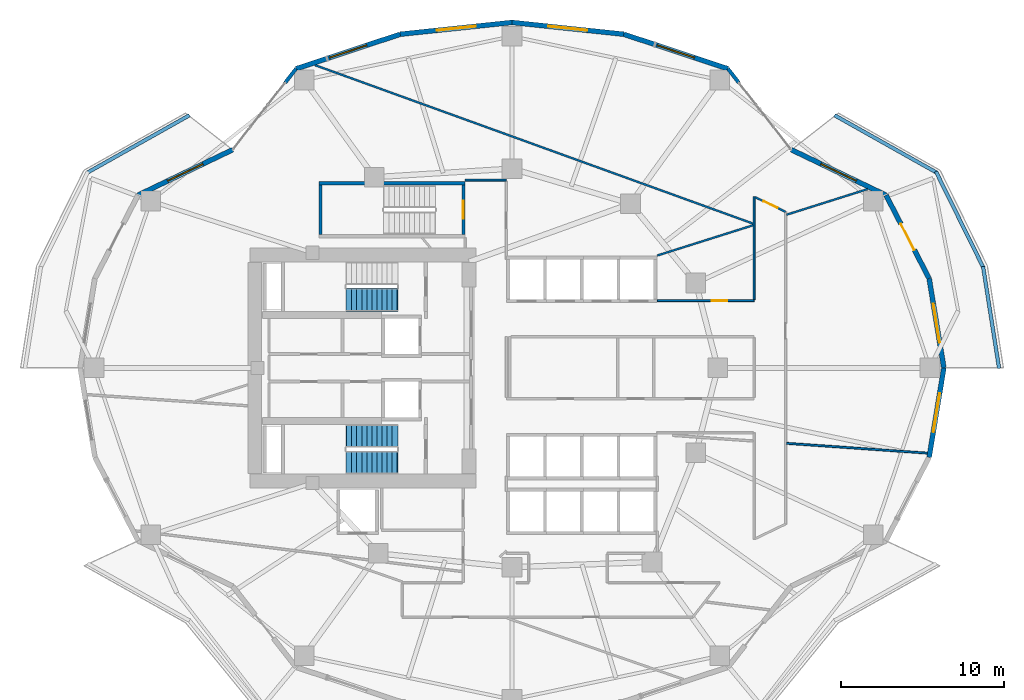
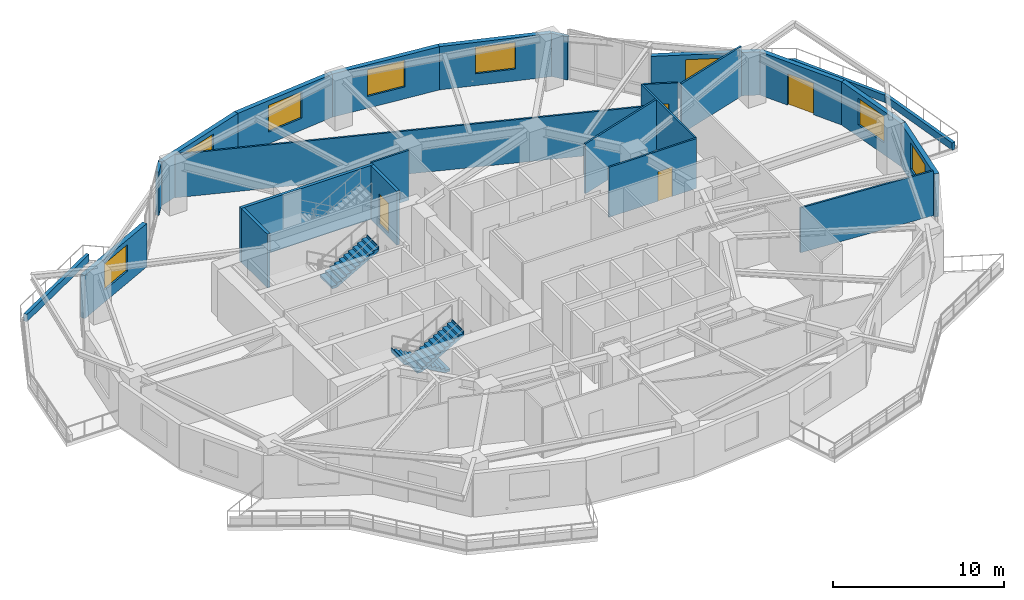
# One storey, part 8 of 12: 26 walls, 8 windows, 4 doors, 3 stair flights, 12 openings, 2 elements without a shape of their own.
"""IFC4 building model written with IfcOpenShell, lengths in metres."""

from ifc_helpers import new_model, si_unit, direction, frame, frame_2d, origin, place, context, subcontext, project, spatial, polyline, rectangle, outline, extrude, material, layer, layer_set, type_object, element, fill, aggregate, save


model = new_model("IFC4")

# Units and contexts
model_context = context("Model", 3, precision=1e-05, world=origin(), true_north=direction((0.0, 1.0)))
body_context = subcontext(model_context, "Body", "Model", "MODEL_VIEW")
ifc_project = project(units=[si_unit("LENGTHUNIT", "METRE"), si_unit("AREAUNIT", "SQUARE_METRE"), si_unit("VOLUMEUNIT", "CUBIC_METRE"), si_unit("PLANEANGLEUNIT", "RADIAN"), si_unit("MASSUNIT", "GRAM", prefix="KILO")], contexts=[model_context])

# Site, building, storey
site_placement = place(None, origin())
site = spatial("IfcSite", under=ifc_project, at=site_placement, CompositionType="ELEMENT")
building_placement = place(site_placement, origin())
building = spatial("IfcBuilding", under=site, at=building_placement, Name="Kolvaren Gate Tower and Convention Centre", CompositionType="ELEMENT")
storey_placement = place(building_placement, frame((0.0, 0.0, 84.25)))
storey = spatial("IfcBuildingStorey", under=building, at=storey_placement, Name="L20", CompositionType="ELEMENT", Elevation=84.25)

# Wall
ifc_material_1 = material(Name="Fire-Rated Acoustic Gypsum Stud Partition", Category="gypsum")
ifc_layer_1 = layer(ifc_material_1, 0.1201171875)
ifc_layer_set_1 = layer_set([ifc_layer_1], Name="Fire-Rated Acoustic Gypsum Stud Partition")
wall_type_1 = type_object("IfcWallType", Name="ARCH-WL-PART-120", PredefinedType="PARTITIONING", material=ifc_layer_set_1)
wall_1_placement = place(storey_placement, frame((27.25, 38.5, 0.0), z_axis=(0.0, 0.0, 1.0), x_axis=(1.0, 0.0, 0.0)))
element("IfcWall", 1, at=wall_1_placement, inside=storey, type_object=wall_type_1, Name="Interior Partition WL-L20-INT-027", PredefinedType="PARTITIONING", context=body_context, shape_type="SweptSolid", body=[
    extrude(rectangle(XDim=2.530029296875, YDim=0.1201171875, at=frame_2d((1.26513671875, 0.0))), origin(), (0.0, 0.0, 1.0), 3.570068359375),
])

# Wall, opening, door
wall_2_placement = place(storey_placement, frame((39.02001953125, 31.1201171875, 0.0), z_axis=(0.0, 0.0, 1.0), x_axis=(1.0, 0.0, 0.0)))
wall_2 = element("IfcWall", 2, at=wall_2_placement, inside=storey, type_object=wall_type_1, Name="Interior Partition WL-L20-INT-031", PredefinedType="PARTITIONING", context=body_context, shape_type="SweptSolid", body=[
    extrude(rectangle(XDim=5.929931640625, YDim=0.1201171875, at=frame_2d((2.96484375, 0.0))), origin(), (0.0, 0.0, 1.0), 3.570068359375),
])
opening_1_placement = place(wall_2_placement, frame((3.330078125, 0.0, 0.0)))
opening_1 = element("IfcOpeningElement", 3, at=opening_1_placement, cuts=wall_2, Name="Opening DR-01", PredefinedType="OPENING", context=body_context, shape_type="SweptSolid", body=[
    extrude(rectangle(XDim=0.949951171875, YDim=2.10009765625, at=frame_2d((0.47509765625, 1.050048828125))), frame((0.0, 0.070068359375, 0.0), z_axis=(0.0, -1.0, 0.0), x_axis=(1.0, 0.0, 0.0)), (0.0, 0.0, 1.0), 0.14013671875),
])
ifc_material_2 = material(Name="Painted Architectural Steelwork ASTM A500 Grade C 345 MPa", Category="steel")
door_type_1 = type_object("IfcDoorType", Name="ARCH-DR-RISER-950", OperationType="SINGLE_SWING_RIGHT", PredefinedType="DOOR", material=ifc_material_2)
door_1_placement = place(opening_1_placement, origin())
door_1 = element("IfcDoor", 4, at=door_1_placement, inside=storey, type_object=door_type_1, Name="First-Aid Room Door", OperationType="SINGLE_SWING_RIGHT", OverallHeight=2.10009765625, OverallWidth=0.949951171875, PredefinedType="DOOR", context=body_context, shape_type="SweptSolid", body=[
    extrude(rectangle(XDim=0.949951171875, YDim=2.10009765625, at=frame_2d((0.47509765625, 1.050048828125))), frame((0.0, 0.02490234375, 0.0), z_axis=(0.0, -1.0, 0.0), x_axis=(1.0, 0.0, 0.0)), (0.0, 0.0, 1.0), 0.050048828125),
])
fill(opening_1, door_1)

# Wall
wall_3_placement = place(storey_placement, frame((44.949951171875, 31.181884765625, 0.0), z_axis=(0.0, 0.0, 1.0), x_axis=(0.0, 1.0, 0.0)))
element("IfcWall", 5, at=wall_3_placement, inside=storey, type_object=wall_type_1, Name="Interior Partition WL-L20-INT-034", PredefinedType="PARTITIONING", context=body_context, shape_type="SweptSolid", body=[
    extrude(rectangle(XDim=6.299072265625, YDim=0.1201171875, at=frame_2d((3.1494140625, 0.0))), origin(), (0.0, 0.0, 1.0), 3.570068359375),
])

# Wall, opening, door
wall_4_placement = place(storey_placement, frame((45.011962890625, 37.451171875, 0.0), z_axis=(0.0, 0.0, 1.0), x_axis=(0.901304887575, -0.433185294803, 0.0)))
wall_4 = element("IfcWall", 6, at=wall_4_placement, inside=storey, type_object=wall_type_1, Name="Interior Partition WL-L20-INT-035", PredefinedType="PARTITIONING", context=body_context, shape_type="SweptSolid", body=[
    extrude(rectangle(XDim=2.0615234375, YDim=0.1201171875, at=frame_2d((1.03076171875, 0.0))), origin(), (0.0, 0.0, 1.0), 3.570068359375),
])
opening_2_placement = place(wall_4_placement, frame((0.555908203125, 0.0, 0.0)))
opening_2 = element("IfcOpeningElement", 7, at=opening_2_placement, cuts=wall_4, Name="Opening DR-01", PredefinedType="OPENING", context=body_context, shape_type="SweptSolid", body=[
    extrude(rectangle(XDim=0.949951171875, YDim=2.10009765625, at=frame_2d((0.47509765625, 1.050048828125))), frame((0.0, 0.070068359375, 0.0), z_axis=(0.0, -1.0, 0.0), x_axis=(1.0, 0.0, 0.0)), (0.0, 0.0, 1.0), 0.14013671875),
])
door_2_placement = place(opening_2_placement, origin())
door_2 = element("IfcDoor", 8, at=door_2_placement, inside=storey, type_object=door_type_1, Name="Staff Dining and Bistro Cafe Door", OperationType="SINGLE_SWING_LEFT", OverallHeight=2.10009765625, OverallWidth=0.949951171875, PredefinedType="DOOR", context=body_context, shape_type="SweptSolid", body=[
    extrude(rectangle(XDim=0.949951171875, YDim=2.10009765625, at=frame_2d((0.47509765625, 1.050048828125))), frame((0.0, 0.02490234375, 0.0), z_axis=(0.0, -1.0, 0.0), x_axis=(1.0, 0.0, 0.0)), (0.0, 0.0, 1.0), 0.050048828125),
])
fill(opening_2, door_2)

# Walls
wall_5_placement = place(storey_placement, frame((46.931884765625, 22.384521484375, 0.0), z_axis=(0.0, 0.0, 1.0), x_axis=(0.997586585682, -0.069433450639, 0.0)))
element("IfcWall", 9, at=wall_5_placement, inside=storey, type_object=wall_type_1, Name="Interior Partition WL-L20-INT-044", PredefinedType="PARTITIONING", context=body_context, shape_type="SweptSolid", body=[
    extrude(rectangle(XDim=8.63916015625, YDim=0.1201171875, at=frame_2d((4.319580078125, 0.0))), origin(), (0.0, 0.0, 1.0), 3.205078125),
])
wall_6_placement = place(storey_placement, frame((39.02001953125, 33.8828125, 0.0), z_axis=(0.0, 0.0, 1.0), x_axis=(0.953639615223, 0.300950966568, 0.0)))
element("IfcWall", 10, at=wall_6_placement, inside=storey, type_object=wall_type_1, Name="Interior Partition WL-L20-INT-050", PredefinedType="PARTITIONING", context=body_context, shape_type="SweptSolid", body=[
    extrude(rectangle(XDim=6.153076171875, YDim=0.1201171875, at=frame_2d((3.07666015625, 0.0))), origin(), (0.0, 0.0, 1.0), 3.570068359375),
])
wall_7_placement = place(storey_placement, frame((46.931884765625, 36.379638671875, 0.0), z_axis=(0.0, 0.0, 1.0), x_axis=(0.9536443078, 0.300936096541, 0.0)))
element("IfcWall", 11, at=wall_7_placement, inside=storey, type_object=wall_type_1, Name="Interior Partition WL-L20-INT-051", PredefinedType="PARTITIONING", context=body_context, shape_type="SweptSolid", body=[
    extrude(rectangle(XDim=5.205810546875, YDim=0.1201171875, at=frame_2d((2.60302734375, 0.0))), origin(), (0.0, 0.0, 1.0), 3.570068359375),
])
wall_8_placement = place(storey_placement, frame((18.0595703125, 45.538330078125, 0.0), z_axis=(0.0, 0.0, 1.0), x_axis=(0.940354559933, -0.340195975304, 0.0)))
element("IfcWall", 12, at=wall_8_placement, inside=storey, type_object=wall_type_1, Name="Interior Partition WL-L20-INT-052", PredefinedType="PARTITIONING", context=body_context, shape_type="SweptSolid", body=[
    extrude(rectangle(XDim=28.530029296875, YDim=0.1201171875, at=frame_2d((14.26513671875, 0.0))), origin(), (0.0, 0.0, 1.0), 3.093017578125),
])
ifc_material_3 = material(Name="Bogota Sabana Bush-Hammered Sandstone Cladding", Category="masonry")
ifc_layer_2 = layer(ifc_material_3, 0.219970703125)
ifc_layer_set_2 = layer_set([ifc_layer_2], Name="Bogota Sabana Bush-Hammered Sandstone Cladding")
wall_type_2 = type_object("IfcWallType", Name="ARCH-WL-PIER-220", PredefinedType="SOLIDWALL", material=ifc_layer_set_2)
wall_9_placement = place(storey_placement, frame((43.34375, 45.31640625, 0.0), z_axis=(0.0, 0.0, 1.0), x_axis=(0.616387780378, -0.787442762492, 0.0)))
element("IfcWall", 13, at=wall_9_placement, inside=storey, type_object=wall_type_2, Name="Tower L20 Unitised Curtain Wall CW-OFF-UNIT Bay 03 Left Column Pier Wrap", PredefinedType="SOLIDWALL", context=body_context, shape_type="SweptSolid", body=[
    extrude(rectangle(XDim=1.076171875, YDim=0.219970703125, at=frame_2d((0.5380859375, 0.0))), origin(), (0.0, 0.0, 1.0), 3.093017578125),
])
wall_10_placement = place(storey_placement, frame((16.24267578125, 44.46875, 0.0), z_axis=(0.0, 0.0, 1.0), x_axis=(0.616418327775, 0.787418849903, 0.0)))
element("IfcWall", 14, at=wall_10_placement, inside=storey, type_object=wall_type_2, Name="Tower L20 Unitised Curtain Wall CW-OFF-UNIT Bay 08 Right Column Pier Wrap", PredefinedType="SOLIDWALL", context=body_context, shape_type="SweptSolid", body=[
    extrude(rectangle(XDim=1.076416015625, YDim=0.219970703125, at=frame_2d((0.5380859375, 0.0))), origin(), (0.0, 0.0, 1.0), 3.093017578125),
])
ifc_material_4 = material(Name="Piedmont Cream Honed Limestone Cladding", Category="masonry")
ifc_layer_3 = layer(ifc_material_4, 0.219970703125)
ifc_layer_set_3 = layer_set([ifc_layer_3], Name="Piedmont Cream Honed Limestone Cladding")
wall_type_3 = type_object("IfcWallType", Name="ARCH-WL-PLANTER-220", PredefinedType="PARAPET", material=ifc_layer_set_3)
wall_11_placement = place(storey_placement, frame((58.9619140625, 33.2119140625, 0.0), z_axis=(0.0, 0.0, 1.0), x_axis=(0.15545655238, -0.987842730561, 0.0)))
element("IfcWall", 15, at=wall_11_placement, inside=storey, type_object=wall_type_3, Name="Vertical-Forest Balcony Stone Planter Kerb PK-L20-1.1", PredefinedType="PARAPET", context=body_context, shape_type="SweptSolid", body=[
    extrude(rectangle(XDim=6.318115234375, YDim=0.219970703125, at=frame_2d((3.1591796875, 0.0))), origin(), (0.0, 0.0, 1.0), 0.52001953125),
])
wall_12_placement = place(storey_placement, frame((56.077392578125, 39.021484375, 0.0), z_axis=(0.0, 0.0, 1.0), x_axis=(0.442686636348, -0.89667638644, 0.0)))
element("IfcWall", 16, at=wall_12_placement, inside=storey, type_object=wall_type_3, Name="Vertical-Forest Balcony Stone Planter Kerb PK-L20-1.2", PredefinedType="PARAPET", context=body_context, shape_type="SweptSolid", body=[
    extrude(rectangle(XDim=6.544677734375, YDim=0.219970703125, at=frame_2d((3.2724609375, 0.0))), origin(), (0.0, 0.0, 1.0), 0.52001953125),
])
for number, where, z_axis, x_axis, name in (
    (17, (49.867919921875, 42.469482421875, 0.0), (0.0, 0.0, 1.0), (0.871775109335, -0.489906275468, 0.0), "Vertical-Forest Balcony Stone Planter Kerb PK-L20-1.3"),
    (18, (4.14697265625, 38.965576171875, 0.0), (0.0, 0.0, 1.0), (0.871775109335, 0.489906275468, 0.0), "Vertical-Forest Balcony Stone Planter Kerb PK-L20-2.1"),
):
    element("IfcWall", number, at=place(storey_placement, frame(where, z_axis=z_axis, x_axis=x_axis)), inside=storey, type_object=wall_type_3, Name=name, PredefinedType="PARAPET", context=body_context, shape_type="SweptSolid", body=[
        extrude(rectangle(XDim=7.152099609375, YDim=0.219970703125, at=frame_2d((3.576171875, 0.0))), origin(), (0.0, 0.0, 1.0), 0.52001953125),
    ])

# Wall, opening, window
ifc_layer_4 = layer(ifc_material_4, 0.300048828125)
ifc_layer_set_4 = layer_set([ifc_layer_4], Name="Piedmont Cream Honed Limestone Cladding")
wall_type_4 = type_object("IfcWallType", Name="ARCH-WL-STONE-300", PredefinedType="SOLIDWALL", material=ifc_layer_set_4)
wall_13_placement = place(storey_placement, frame((55.66162109375, 32.47412109375, 0.0), z_axis=(0.0, 0.0, 1.0), x_axis=(0.162386212206, -0.986727276447, 0.0)))
wall_13 = element("IfcWall", 19, at=wall_13_placement, inside=storey, type_object=wall_type_4, Name="Tower L20 Honed Stone Spandrel Wall EW-00", PredefinedType="SOLIDWALL", context=body_context, shape_type="SweptSolid", body=[
    extrude(rectangle(XDim=5.5478515625, YDim=0.300048828125, at=frame_2d((2.77392578125, 0.0))), origin(), (0.0, 0.0, 1.0), 3.093017578125),
])
opening_3_placement = place(wall_13_placement, frame((1.573974609375, 0.0, 0.85009765625)))
opening_3 = element("IfcOpeningElement", 20, at=opening_3_placement, cuts=wall_13, Name="Opening W-01", PredefinedType="OPENING", context=body_context, shape_type="SweptSolid", body=[
    extrude(rectangle(XDim=2.39990234375, YDim=1.89990234375, at=frame_2d((1.199951171875, 0.949951171875))), frame((0.0, 0.159912109375, 0.0), z_axis=(0.0, -1.0, 0.0), x_axis=(1.0, 0.0, 0.0)), (0.0, 0.0, 1.0), 0.320068359375),
])
ifc_material_5 = material(Name="Low-E Triple Insulated Glazing Unit 44 mm", Category="glass")
window_type = type_object("IfcWindowType", Name="ARCH-WN-OFF-2400", PartitioningType="SINGLE_PANEL", PredefinedType="WINDOW", material=ifc_material_5)
window_1_placement = place(opening_3_placement, origin())
window_1 = element("IfcWindow", 21, at=window_1_placement, inside=storey, type_object=window_type, Name="Tower L20 Punched Stone Facade Window W-00", OverallHeight=1.89990234375, OverallWidth=2.39990234375, PartitioningType="SINGLE_PANEL", PredefinedType="WINDOW", context=body_context, shape_type="SweptSolid", body=[
    extrude(rectangle(XDim=2.39990234375, YDim=1.89990234375, at=frame_2d((1.199951171875, 0.949951171875))), frame((0.0, 0.030029296875, 0.0), z_axis=(0.0, -1.0, 0.0), x_axis=(1.0, 0.0, 0.0)), (0.0, 0.0, 1.0), 0.06005859375),
])
fill(opening_3, window_1)

# Wall, opening, door
wall_14_placement = place(storey_placement, frame((53.0205078125, 37.574951171875, 0.0), z_axis=(0.0, 0.0, 1.0), x_axis=(0.459800981414, -0.888021991558, 0.0)))
wall_14 = element("IfcWall", 22, at=wall_14_placement, inside=storey, type_object=wall_type_4, Name="Tower L20 Honed Stone Spandrel Wall EW-01", PredefinedType="SOLIDWALL", context=body_context, shape_type="SweptSolid", body=[
    extrude(rectangle(XDim=5.744140625, YDim=0.300048828125, at=frame_2d((2.8720703125, 0.0))), origin(), (0.0, 0.0, 1.0), 3.093017578125),
])
opening_4_placement = place(wall_14_placement, frame((1.971923828125, 0.0, 0.0)))
opening_4 = element("IfcOpeningElement", 23, at=opening_4_placement, cuts=wall_14, Name="Opening DB-01", PredefinedType="OPENING", context=body_context, shape_type="SweptSolid", body=[
    extrude(rectangle(XDim=1.800048828125, YDim=2.25, at=frame_2d((0.89990234375, 1.125))), frame((0.0, 0.159912109375, 0.0), z_axis=(0.0, -1.0, 0.0), x_axis=(1.0, 0.0, 0.0)), (0.0, 0.0, 1.0), 0.320068359375),
])
ifc_material_6 = material(Name="Anodized Architectural Aluminium Alloy 6063-T6", Category="aluminium")
door_type_2 = type_object("IfcDoorType", Name="ARCH-DR-BALC-1800", OperationType="SLIDING_TO_LEFT", PredefinedType="DOOR", material=ifc_material_6)
door_3_placement = place(opening_4_placement, origin())
door_3 = element("IfcDoor", 24, at=door_3_placement, inside=storey, type_object=door_type_2, Name="Planted Sky Terrace Access Door DB-L20-01", OperationType="SLIDING_TO_LEFT", OverallHeight=2.25, OverallWidth=1.800048828125, PredefinedType="DOOR", context=body_context, shape_type="SweptSolid", body=[
    extrude(rectangle(XDim=1.800048828125, YDim=2.25, at=frame_2d((0.89990234375, 1.125))), frame((0.0, 0.02490234375, 0.0), z_axis=(0.0, -1.0, 0.0), x_axis=(1.0, 0.0, 0.0)), (0.0, 0.0, 1.0), 0.050048828125),
])
fill(opening_4, door_3)

# Wall, opening, window
wall_15_placement = place(storey_placement, frame((47.223876953125, 40.360107421875, 0.0), z_axis=(0.0, 0.0, 1.0), x_axis=(0.901354747727, -0.433081538224, 0.0)))
wall_15 = element("IfcWall", 25, at=wall_15_placement, inside=storey, type_object=wall_type_4, Name="Tower L20 Honed Stone Spandrel Wall EW-02", PredefinedType="SOLIDWALL", context=body_context, shape_type="SweptSolid", body=[
    extrude(rectangle(XDim=6.430908203125, YDim=0.300048828125, at=frame_2d((3.21533203125, 0.0))), origin(), (0.0, 0.0, 1.0), 3.093017578125),
])
opening_5_placement = place(wall_15_placement, frame((2.014892578125, 0.0, 0.85009765625)))
opening_5 = element("IfcOpeningElement", 26, at=opening_5_placement, cuts=wall_15, Name="Opening W-01", PredefinedType="OPENING", context=body_context, shape_type="SweptSolid", body=[
    extrude(rectangle(XDim=2.39990234375, YDim=1.89990234375, at=frame_2d((1.199951171875, 0.949951171875))), frame((0.0, 0.159912109375, 0.0), z_axis=(0.0, -1.0, 0.0), x_axis=(1.0, 0.0, 0.0)), (0.0, 0.0, 1.0), 0.320068359375),
])
window_2_placement = place(opening_5_placement, origin())
window_2 = element("IfcWindow", 27, at=window_2_placement, inside=storey, type_object=window_type, Name="Tower L20 Punched Stone Facade Window W-02", OverallHeight=1.89990234375, OverallWidth=2.39990234375, PartitioningType="SINGLE_PANEL", PredefinedType="WINDOW", context=body_context, shape_type="SweptSolid", body=[
    extrude(rectangle(XDim=2.39990234375, YDim=1.89990234375, at=frame_2d((1.199951171875, 0.949951171875))), frame((0.0, 0.030029296875, 0.0), z_axis=(0.0, -1.0, 0.0), x_axis=(1.0, 0.0, 0.0)), (0.0, 0.0, 1.0), 0.06005859375),
])
fill(opening_5, window_2)

wall_16_placement = place(storey_placement, frame((36.967529296875, 47.42919921875, 0.0), z_axis=(0.0, 0.0, 1.0), x_axis=(0.949245153629, -0.314537181127, 0.0)))
wall_16 = element("IfcWall", 28, at=wall_16_placement, inside=storey, type_object=wall_type_4, Name="Tower L20 Honed Stone Spandrel Wall EW-04", PredefinedType="SOLIDWALL", context=body_context, shape_type="SweptSolid", body=[
    extrude(rectangle(XDim=6.717041015625, YDim=0.300048828125, at=frame_2d((3.3583984375, 0.0))), origin(), (0.0, 0.0, 1.0), 3.093017578125),
])
opening_6_placement = place(wall_16_placement, frame((2.158935546875, 0.0, 0.85009765625)))
opening_6 = element("IfcOpeningElement", 29, at=opening_6_placement, cuts=wall_16, Name="Opening W-01", PredefinedType="OPENING", context=body_context, shape_type="SweptSolid", body=[
    extrude(rectangle(XDim=2.39990234375, YDim=1.89990234375, at=frame_2d((1.199951171875, 0.949951171875))), frame((0.0, 0.159912109375, 0.0), z_axis=(0.0, -1.0, 0.0), x_axis=(1.0, 0.0, 0.0)), (0.0, 0.0, 1.0), 0.320068359375),
])
window_3_placement = place(opening_6_placement, origin())
window_3 = element("IfcWindow", 30, at=window_3_placement, inside=storey, type_object=window_type, Name="Tower L20 Punched Stone Facade Window W-04", OverallHeight=1.89990234375, OverallWidth=2.39990234375, PartitioningType="SINGLE_PANEL", PredefinedType="WINDOW", context=body_context, shape_type="SweptSolid", body=[
    extrude(rectangle(XDim=2.39990234375, YDim=1.89990234375, at=frame_2d((1.199951171875, 0.949951171875))), frame((0.0, 0.030029296875, 0.0), z_axis=(0.0, -1.0, 0.0), x_axis=(1.0, 0.0, 0.0)), (0.0, 0.0, 1.0), 0.06005859375),
])
fill(opening_6, window_3)

wall_17_placement = place(storey_placement, frame((30.125, 48.14990234375, 0.0), z_axis=(0.0, 0.0, 1.0), x_axis=(0.994498840295, -0.104747585419, 0.0)))
wall_17 = element("IfcWall", 31, at=wall_17_placement, inside=storey, type_object=wall_type_4, Name="Tower L20 Honed Stone Spandrel Wall EW-05", PredefinedType="SOLIDWALL", context=body_context, shape_type="SweptSolid", body=[
    extrude(rectangle(XDim=6.88037109375, YDim=0.300048828125, at=frame_2d((3.440185546875, 0.0))), origin(), (0.0, 0.0, 1.0), 3.093017578125),
])
opening_7_placement = place(wall_17_placement, frame((2.239990234375, 0.0, 0.85009765625)))
opening_7 = element("IfcOpeningElement", 32, at=opening_7_placement, cuts=wall_17, Name="Opening W-01", PredefinedType="OPENING", context=body_context, shape_type="SweptSolid", body=[
    extrude(rectangle(XDim=2.39990234375, YDim=1.89990234375, at=frame_2d((1.199951171875, 0.949951171875))), frame((0.0, 0.159912109375, 0.0), z_axis=(0.0, -1.0, 0.0), x_axis=(1.0, 0.0, 0.0)), (0.0, 0.0, 1.0), 0.320068359375),
])
window_4_placement = place(opening_7_placement, origin())
window_4 = element("IfcWindow", 33, at=window_4_placement, inside=storey, type_object=window_type, Name="Tower L20 Punched Stone Facade Window W-05", OverallHeight=1.89990234375, OverallWidth=2.39990234375, PartitioningType="SINGLE_PANEL", PredefinedType="WINDOW", context=body_context, shape_type="SweptSolid", body=[
    extrude(rectangle(XDim=2.39990234375, YDim=1.89990234375, at=frame_2d((1.199951171875, 0.949951171875))), frame((0.0, 0.030029296875, 0.0), z_axis=(0.0, -1.0, 0.0), x_axis=(1.0, 0.0, 0.0)), (0.0, 0.0, 1.0), 0.06005859375),
])
fill(opening_7, window_4)

wall_18_placement = place(storey_placement, frame((23.282470703125, 47.42919921875, 0.0), z_axis=(0.0, 0.0, 1.0), x_axis=(0.994498840295, 0.104747585419, 0.0)))
wall_18 = element("IfcWall", 34, at=wall_18_placement, inside=storey, type_object=wall_type_4, Name="Tower L20 Honed Stone Spandrel Wall EW-06", PredefinedType="SOLIDWALL", context=body_context, shape_type="SweptSolid", body=[
    extrude(rectangle(XDim=6.88037109375, YDim=0.300048828125, at=frame_2d((3.440185546875, 0.0))), origin(), (0.0, 0.0, 1.0), 3.093017578125),
])
opening_8_placement = place(wall_18_placement, frame((2.239990234375, 0.0, 0.85009765625)))
opening_8 = element("IfcOpeningElement", 35, at=opening_8_placement, cuts=wall_18, Name="Opening W-01", PredefinedType="OPENING", context=body_context, shape_type="SweptSolid", body=[
    extrude(rectangle(XDim=2.39990234375, YDim=1.89990234375, at=frame_2d((1.199951171875, 0.949951171875))), frame((0.0, 0.159912109375, 0.0), z_axis=(0.0, -1.0, 0.0), x_axis=(1.0, 0.0, 0.0)), (0.0, 0.0, 1.0), 0.320068359375),
])
window_5_placement = place(opening_8_placement, origin())
window_5 = element("IfcWindow", 36, at=window_5_placement, inside=storey, type_object=window_type, Name="Tower L20 Punched Stone Facade Window W-06", OverallHeight=1.89990234375, OverallWidth=2.39990234375, PartitioningType="SINGLE_PANEL", PredefinedType="WINDOW", context=body_context, shape_type="SweptSolid", body=[
    extrude(rectangle(XDim=2.39990234375, YDim=1.89990234375, at=frame_2d((1.199951171875, 0.949951171875))), frame((0.0, 0.030029296875, 0.0), z_axis=(0.0, -1.0, 0.0), x_axis=(1.0, 0.0, 0.0)), (0.0, 0.0, 1.0), 0.06005859375),
])
fill(opening_8, window_5)

wall_19_placement = place(storey_placement, frame((16.90625, 45.31640625, 0.0), z_axis=(0.0, 0.0, 1.0), x_axis=(0.949245153629, 0.314537181127, 0.0)))
wall_19 = element("IfcWall", 37, at=wall_19_placement, inside=storey, type_object=wall_type_4, Name="Tower L20 Honed Stone Spandrel Wall EW-07", PredefinedType="SOLIDWALL", context=body_context, shape_type="SweptSolid", body=[
    extrude(rectangle(XDim=6.717041015625, YDim=0.300048828125, at=frame_2d((3.3583984375, 0.0))), origin(), (0.0, 0.0, 1.0), 3.093017578125),
])
opening_9_placement = place(wall_19_placement, frame((2.158935546875, 0.0, 0.85009765625)))
opening_9 = element("IfcOpeningElement", 38, at=opening_9_placement, cuts=wall_19, Name="Opening W-01", PredefinedType="OPENING", context=body_context, shape_type="SweptSolid", body=[
    extrude(rectangle(XDim=2.39990234375, YDim=1.89990234375, at=frame_2d((1.199951171875, 0.949951171875))), frame((0.0, 0.159912109375, 0.0), z_axis=(0.0, -1.0, 0.0), x_axis=(1.0, 0.0, 0.0)), (0.0, 0.0, 1.0), 0.320068359375),
])
window_6_placement = place(opening_9_placement, origin())
window_6 = element("IfcWindow", 39, at=window_6_placement, inside=storey, type_object=window_type, Name="Tower L20 Punched Stone Facade Window W-07", OverallHeight=1.89990234375, OverallWidth=2.39990234375, PartitioningType="SINGLE_PANEL", PredefinedType="WINDOW", context=body_context, shape_type="SweptSolid", body=[
    extrude(rectangle(XDim=2.39990234375, YDim=1.89990234375, at=frame_2d((1.199951171875, 0.949951171875))), frame((0.0, 0.030029296875, 0.0), z_axis=(0.0, -1.0, 0.0), x_axis=(1.0, 0.0, 0.0)), (0.0, 0.0, 1.0), 0.06005859375),
])
fill(opening_9, window_6)

wall_20_placement = place(storey_placement, frame((7.2294921875, 37.574951171875, 0.0), z_axis=(0.0, 0.0, 1.0), x_axis=(0.901354747727, 0.433081538224, 0.0)))
wall_20 = element("IfcWall", 40, at=wall_20_placement, inside=storey, type_object=wall_type_4, Name="Tower L20 Honed Stone Spandrel Wall EW-09", PredefinedType="SOLIDWALL", context=body_context, shape_type="SweptSolid", body=[
    extrude(rectangle(XDim=6.430908203125, YDim=0.300048828125, at=frame_2d((3.21533203125, 0.0))), origin(), (0.0, 0.0, 1.0), 3.093017578125),
])
opening_10_placement = place(wall_20_placement, frame((2.014892578125, 0.0, 0.85009765625)))
opening_10 = element("IfcOpeningElement", 41, at=opening_10_placement, cuts=wall_20, Name="Opening W-01", PredefinedType="OPENING", context=body_context, shape_type="SweptSolid", body=[
    extrude(rectangle(XDim=2.39990234375, YDim=1.89990234375, at=frame_2d((1.199951171875, 0.949951171875))), frame((0.0, 0.159912109375, 0.0), z_axis=(0.0, -1.0, 0.0), x_axis=(1.0, 0.0, 0.0)), (0.0, 0.0, 1.0), 0.320068359375),
])
window_7_placement = place(opening_10_placement, origin())
window_7 = element("IfcWindow", 42, at=window_7_placement, inside=storey, type_object=window_type, Name="Tower L20 Punched Stone Facade Window W-09", OverallHeight=1.89990234375, OverallWidth=2.39990234375, PartitioningType="SINGLE_PANEL", PredefinedType="WINDOW", context=body_context, shape_type="SweptSolid", body=[
    extrude(rectangle(XDim=2.39990234375, YDim=1.89990234375, at=frame_2d((1.199951171875, 0.949951171875))), frame((0.0, 0.030029296875, 0.0), z_axis=(0.0, -1.0, 0.0), x_axis=(1.0, 0.0, 0.0)), (0.0, 0.0, 1.0), 0.06005859375),
])
fill(opening_10, window_7)

wall_21_placement = place(storey_placement, frame((55.66162109375, 21.52587890625, 0.0), z_axis=(0.0, 0.0, 1.0), x_axis=(0.162386212206, 0.986727276447, 0.0)))
wall_21 = element("IfcWall", 43, at=wall_21_placement, inside=storey, type_object=wall_type_4, Name="Tower L20 Honed Stone Spandrel Wall EW-23", PredefinedType="SOLIDWALL", context=body_context, shape_type="SweptSolid", body=[
    extrude(rectangle(XDim=5.5478515625, YDim=0.300048828125, at=frame_2d((2.77392578125, 0.0))), origin(), (0.0, 0.0, 1.0), 3.093017578125),
])
opening_11_placement = place(wall_21_placement, frame((1.573974609375, 0.0, 0.85009765625)))
opening_11 = element("IfcOpeningElement", 44, at=opening_11_placement, cuts=wall_21, Name="Opening W-01", PredefinedType="OPENING", context=body_context, shape_type="SweptSolid", body=[
    extrude(rectangle(XDim=2.39990234375, YDim=1.89990234375, at=frame_2d((1.199951171875, 0.949951171875))), frame((0.0, 0.159912109375, 0.0), z_axis=(0.0, -1.0, 0.0), x_axis=(1.0, 0.0, 0.0)), (0.0, 0.0, 1.0), 0.320068359375),
])
window_8_placement = place(opening_11_placement, origin())
window_8 = element("IfcWindow", 45, at=window_8_placement, inside=storey, type_object=window_type, Name="Tower L20 Punched Stone Facade Window W-23", OverallHeight=1.89990234375, OverallWidth=2.39990234375, PartitioningType="SINGLE_PANEL", PredefinedType="WINDOW", context=body_context, shape_type="SweptSolid", body=[
    extrude(rectangle(XDim=2.39990234375, YDim=1.89990234375, at=frame_2d((1.199951171875, 0.949951171875))), frame((0.0, 0.030029296875, 0.0), z_axis=(0.0, -1.0, 0.0), x_axis=(1.0, 0.0, 0.0)), (0.0, 0.0, 1.0), 0.06005859375),
])
fill(opening_11, window_8)

# Wall, opening, door
ifc_material_7 = material(Name="Concrete C50/60", Category="concrete")
ifc_layer_5 = layer(ifc_material_7, 0.199951171875)
ifc_layer_set_5 = layer_set([ifc_layer_5], Name="Concrete C50/60")
wall_type_5 = type_object("IfcWallType", Name="STR-WL-SHAFT-200", PredefinedType="SHEAR", material=ifc_layer_set_5)
wall_22_placement = place(storey_placement, frame((27.14990234375, 35.159912109375, -0.280029296875), z_axis=(0.0, 0.0, 1.0), x_axis=(0.0, 1.0, 0.0)))
wall_22 = element("IfcWall", 46, at=wall_22_placement, inside=storey, type_object=wall_type_5, Name="Tower Mid-Zone Exit Stair ST-T3 L20 Structural Shear Enclosure Wall NEAR", PredefinedType="SHEAR", context=body_context, shape_type="SweptSolid", body=[
    extrude(rectangle(XDim=3.0400390625, YDim=0.199951171875, at=frame_2d((1.52001953125, 0.0))), origin(), (0.0, 0.0, 1.0), 3.85009765625),
])
opening_12_placement = place(wall_22_placement, frame((0.969970703125, 0.0, 0.280029296875)))
opening_12 = element("IfcOpeningElement", 47, at=opening_12_placement, cuts=wall_22, Name="Opening DS-01", PredefinedType="OPENING", context=body_context, shape_type="SweptSolid", body=[
    extrude(rectangle(XDim=1.10009765625, YDim=2.14990234375, at=frame_2d((0.550048828125, 1.074951171875))), frame((0.0, 0.10986328125, 0.0), z_axis=(0.0, -1.0, 0.0), x_axis=(1.0, 0.0, 0.0)), (0.0, 0.0, 1.0), 0.219970703125),
])
door_type_3 = type_object("IfcDoorType", Name="ARCH-DR-STAIR-1100", OperationType="SINGLE_SWING_LEFT", PredefinedType="DOOR", material=ifc_material_2)
door_4_placement = place(opening_12_placement, origin())
door_4 = element("IfcDoor", 48, at=door_4_placement, inside=storey, type_object=door_type_3, Name="Tower Mid-Zone Exit Stair ST-T3 L20 Fire Exit Stair Door", OperationType="SINGLE_SWING_RIGHT", OverallHeight=2.14990234375, OverallWidth=1.10009765625, PredefinedType="DOOR", context=body_context, shape_type="SweptSolid", body=[
    extrude(rectangle(XDim=1.10009765625, YDim=2.14990234375, at=frame_2d((0.550048828125, 1.074951171875))), frame((0.0, 0.02490234375, 0.0), z_axis=(0.0, -1.0, 0.0), x_axis=(1.0, 0.0, 0.0)), (0.0, 0.0, 1.0), 0.050048828125),
])
fill(opening_12, door_4)

# Walls
wall_23_placement = place(storey_placement, frame((18.39990234375, 35.159912109375, -0.280029296875), z_axis=(0.0, 0.0, 1.0), x_axis=(0.0, 1.0, 0.0)))
element("IfcWall", 49, at=wall_23_placement, inside=storey, type_object=wall_type_5, Name="Tower Mid-Zone Exit Stair ST-T3 L20 Structural Shear Enclosure Wall FAR", PredefinedType="SHEAR", context=body_context, shape_type="SweptSolid", body=[
    extrude(rectangle(XDim=3.0400390625, YDim=0.199951171875, at=frame_2d((1.52001953125, 0.0))), origin(), (0.0, 0.0, 1.0), 3.85009765625),
])
wall_24_placement = place(storey_placement, frame((18.300048828125, 38.300048828125, -0.280029296875), z_axis=(0.0, 0.0, 1.0), x_axis=(1.0, 0.0, 0.0)))
element("IfcWall", 50, at=wall_24_placement, inside=storey, type_object=wall_type_5, Name="Tower Mid-Zone Exit Stair ST-T3 L20 Structural Shear Enclosure Wall LEFT", PredefinedType="SHEAR", context=body_context, shape_type="SweptSolid", body=[
    extrude(rectangle(XDim=8.949951171875, YDim=0.199951171875, at=frame_2d((4.47509765625, 0.0))), origin(), (0.0, 0.0, 1.0), 3.85009765625),
])

# Stair, stair flight
stair_type = type_object("IfcStairType", Name="STR-STAIR-CORE", PredefinedType="HALF_TURN_STAIR", material=ifc_material_7)
stair_1_placement = place(storey_placement, origin())
stair_1 = element("IfcStair", 51, at=stair_1_placement, inside=storey, type_object=stair_type, Name="L20 Tower North Exit Stair ST-T1", PredefinedType="HALF_TURN_STAIR")
stair_flight_type = type_object("IfcStairFlightType", Name="STR-SFL-1420", PredefinedType="STRAIGHT", material=ifc_material_7)
stair_flight_1_placement = place(storey_placement, frame((20.0, 31.169921875, 1.925048828125), z_axis=(0.0, 0.0, 1.0), x_axis=(1.0, 0.0, 0.0)))
stair_flight_1 = element("IfcStairFlight", 52, at=stair_flight_1_placement, type_object=stair_flight_type, Name="ST-T1 flight 2", NumberOfRisers=11, NumberOfTreads=10, PredefinedType="STRAIGHT", RiserHeight=0.175, TreadLength=0.31, context=body_context, shape_type="SweptSolid", body=[
    extrude(outline(polyline([(-0.034912109375, 0.0), (-0.034912109375, 0.175048828125), (0.31005859375, 0.175048828125), (0.31005859375, 0.35009765625), (0.6201171875, 0.35009765625), (0.6201171875, 0.52490234375), (0.929931640625, 0.52490234375), (0.929931640625, 0.699951171875), (1.239990234375, 0.699951171875), (1.239990234375, 0.875), (1.550048828125, 0.875), (1.550048828125, 1.050048828125), (1.860107421875, 1.050048828125), (1.860107421875, 1.22509765625), (2.169921875, 1.22509765625), (2.169921875, 1.39990234375), (2.47998046875, 1.39990234375), (2.47998046875, 1.574951171875), (2.7900390625, 1.574951171875), (2.7900390625, 1.75), (3.10009765625, 1.75), (3.10009765625, 1.925048828125), (3.14501953125, 1.925048828125), (3.14501953125, 1.764892578125), (3.10009765625, 1.577880859375), (0.304931640625, 0.0), (-0.034912109375, 0.0)])), frame((0.0, 0.7099609375, 0.0), z_axis=(0.0, -1.0, 0.0), x_axis=(1.0, 0.0, 0.0)), (0.0, 0.0, 1.0), 1.419921875),
])
aggregate(stair_1, [stair_flight_1])

# Stair, stair flights
stair_2_placement = place(storey_placement, origin())
stair_2 = element("IfcStair", 53, at=stair_2_placement, inside=storey, type_object=stair_type, Name="L20 Tower South Exit Stair ST-T2", PredefinedType="HALF_TURN_STAIR")
stair_flight_2_placement = place(storey_placement, frame((23.10009765625, 22.830078125, 0.0), z_axis=(0.0, 0.0, 1.0), x_axis=(-1.0, 0.0, 0.0)))
stair_flight_2 = element("IfcStairFlight", 54, at=stair_flight_2_placement, type_object=stair_flight_type, Name="ST-T2 flight 1", NumberOfRisers=11, NumberOfTreads=10, PredefinedType="STRAIGHT", RiserHeight=0.175, TreadLength=0.31, context=body_context, shape_type="SweptSolid", body=[
    extrude(outline(polyline([(-0.034912109375, 0.0), (-0.034912109375, 0.175048828125), (0.31005859375, 0.175048828125), (0.31005859375, 0.35009765625), (0.6201171875, 0.35009765625), (0.6201171875, 0.52490234375), (0.929931640625, 0.52490234375), (0.929931640625, 0.699951171875), (1.239990234375, 0.699951171875), (1.239990234375, 0.875), (1.550048828125, 0.875), (1.550048828125, 1.050048828125), (1.860107421875, 1.050048828125), (1.860107421875, 1.22509765625), (2.169921875, 1.22509765625), (2.169921875, 1.39990234375), (2.47998046875, 1.39990234375), (2.47998046875, 1.574951171875), (2.7900390625, 1.574951171875), (2.7900390625, 1.75), (3.10009765625, 1.75), (3.10009765625, 1.925048828125), (3.14501953125, 1.925048828125), (3.14501953125, 1.764892578125), (3.10009765625, 1.577880859375), (0.304931640625, 0.0), (-0.034912109375, 0.0)])), frame((0.0, 0.7099609375, 0.0), z_axis=(0.0, -1.0, 0.0), x_axis=(1.0, 0.0, 0.0)), (0.0, 0.0, 1.0), 1.419921875),
])
stair_flight_3_placement = place(storey_placement, frame((20.0, 21.2099609375, 1.925048828125), z_axis=(0.0, 0.0, 1.0), x_axis=(1.0, 0.0, 0.0)))
stair_flight_3 = element("IfcStairFlight", 55, at=stair_flight_3_placement, type_object=stair_flight_type, Name="ST-T2 flight 2", NumberOfRisers=11, NumberOfTreads=10, PredefinedType="STRAIGHT", RiserHeight=0.175, TreadLength=0.31, context=body_context, shape_type="SweptSolid", body=[
    extrude(outline(polyline([(-0.034912109375, 0.0), (-0.034912109375, 0.175048828125), (0.31005859375, 0.175048828125), (0.31005859375, 0.35009765625), (0.6201171875, 0.35009765625), (0.6201171875, 0.52490234375), (0.929931640625, 0.52490234375), (0.929931640625, 0.699951171875), (1.239990234375, 0.699951171875), (1.239990234375, 0.875), (1.550048828125, 0.875), (1.550048828125, 1.050048828125), (1.860107421875, 1.050048828125), (1.860107421875, 1.22509765625), (2.169921875, 1.22509765625), (2.169921875, 1.39990234375), (2.47998046875, 1.39990234375), (2.47998046875, 1.574951171875), (2.7900390625, 1.574951171875), (2.7900390625, 1.75), (3.10009765625, 1.75), (3.10009765625, 1.925048828125), (3.14501953125, 1.925048828125), (3.14501953125, 1.764892578125), (3.10009765625, 1.577880859375), (0.304931640625, 0.0), (-0.034912109375, 0.0)])), frame((0.0, 0.7099609375, 0.0), z_axis=(0.0, -1.0, 0.0), x_axis=(1.0, 0.0, 0.0)), (0.0, 0.0, 1.0), 1.419921875),
])
aggregate(stair_2, [stair_flight_2, stair_flight_3])

save(model, "model.ifc")
